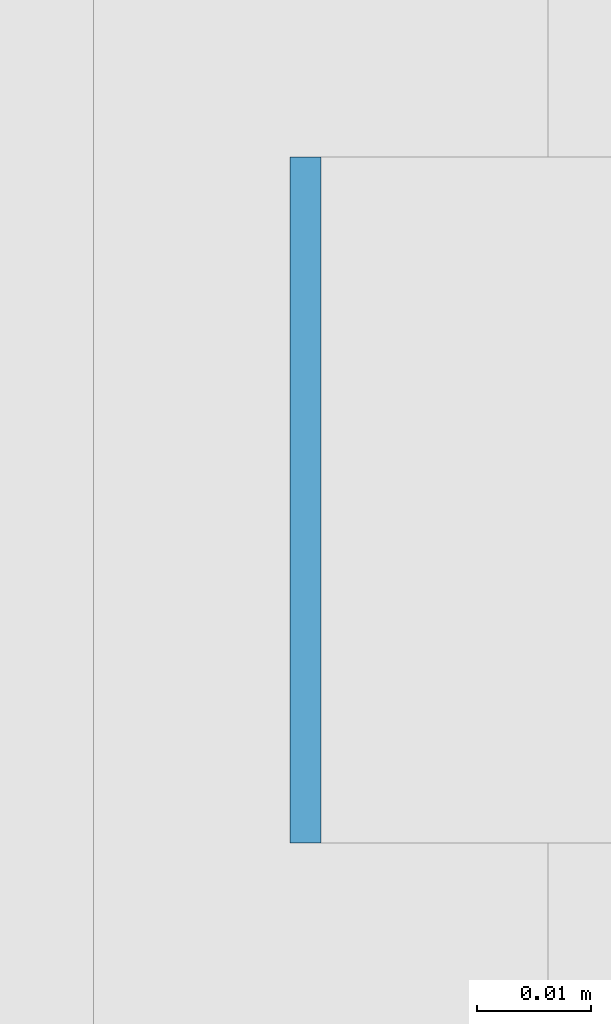
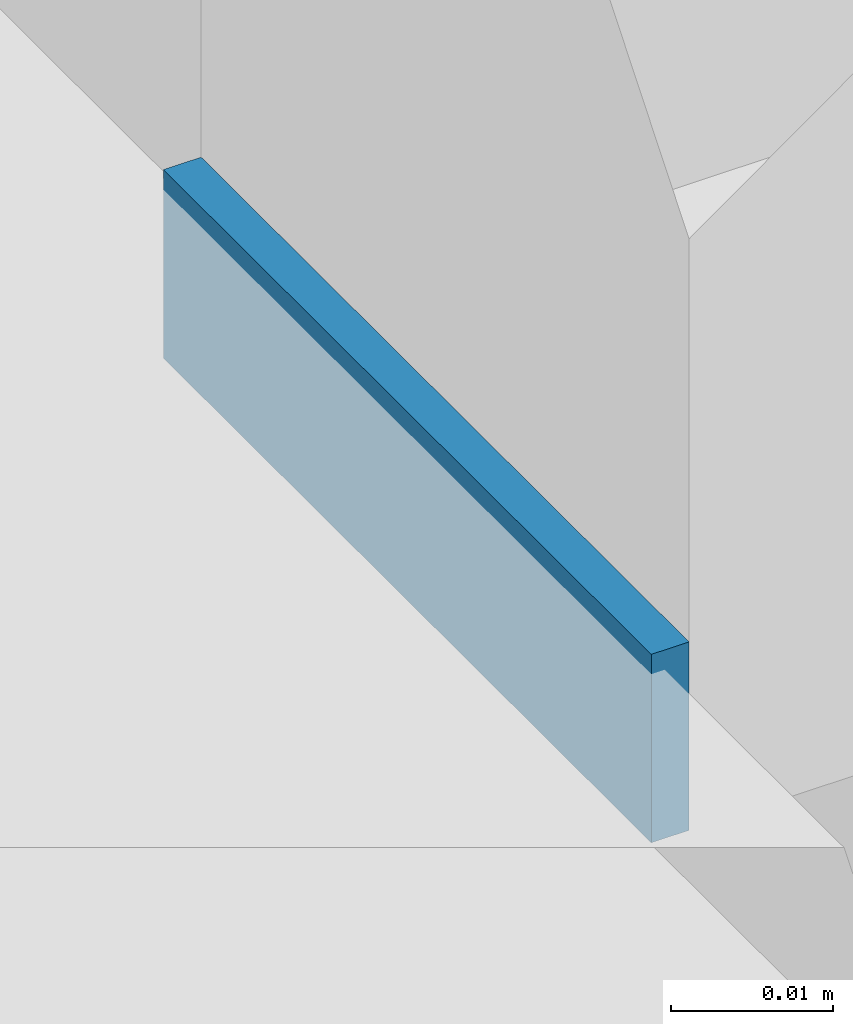
# One storey, part 614 of 646: 1 discrete accessory.
"""IFC4 building model written with IfcOpenShell, lengths in metres."""

from ifc_helpers import new_model, si_unit, direction, frame, origin, origin_2d, place, context, subcontext, project, spatial, rectangle, extrude, material, type_object, element, save


model = new_model("IFC4")

# Units and contexts
model_context = context("Model", 3, precision=1e-05, world=origin(), true_north=direction((0.0, 1.0)))
body_context = subcontext(model_context, "Body", "Model", "MODEL_VIEW")
ifc_project = project(units=[si_unit("LENGTHUNIT", "METRE"), si_unit("AREAUNIT", "SQUARE_METRE"), si_unit("VOLUMEUNIT", "CUBIC_METRE"), si_unit("PLANEANGLEUNIT", "RADIAN"), si_unit("MASSUNIT", "GRAM", prefix="KILO")], contexts=[model_context])

# Site, building, storey
site_placement = place(None, origin())
site = spatial("IfcSite", under=ifc_project, at=site_placement, CompositionType="ELEMENT")
building_placement = place(site_placement, origin())
building = spatial("IfcBuilding", under=site, at=building_placement, Name="Silverbay Arena", CompositionType="ELEMENT")
storey_placement = place(building_placement, frame((0.0, 0.0, 33.5)))
storey = spatial("IfcBuildingStorey", under=building, at=storey_placement, Name="L05", CompositionType="ELEMENT", Elevation=33.5)

# Discrete accessory
ifc_material = material(Name="Steel S355", Category="steel")
discrete_accessory_type = type_object("IfcDiscreteAccessoryType", Name="Steel bracket plate", PredefinedType="BRACKET", material=ifc_material)
discrete_accessory_placement = place(storey_placement, frame((207.128662109375, 131.7333984375, 4.0), z_axis=(0.0, 0.0, 1.0), x_axis=(1.0, 0.0, 0.0)))
element("IfcDiscreteAccessory", 1, at=discrete_accessory_placement, inside=storey, type_object=discrete_accessory_type, Name="Curtain wall packing plate", PredefinedType="BRACKET", context=body_context, shape_type="SweptSolid", body=[
    extrude(rectangle(XDim=0.002685546875, YDim=0.06005859375, at=origin_2d()), origin(), (0.0, 0.0, 1.0), 0.01416015625),
])

save(model, "model.ifc")
